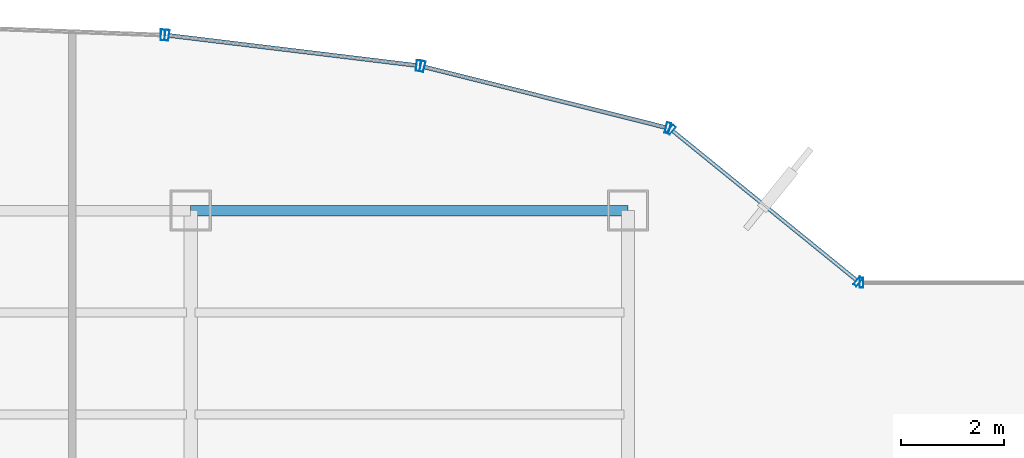
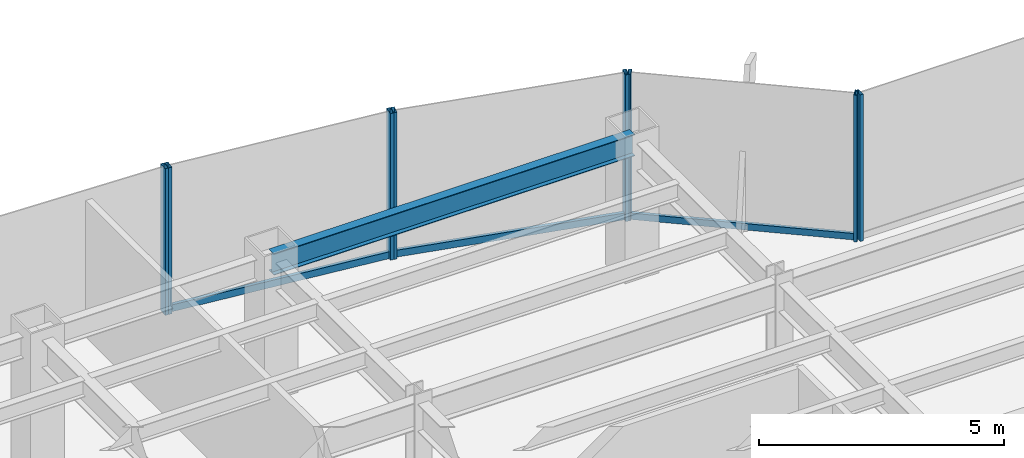
# One storey, part 18 of 26: 11 members, 1 beam, 5 elements without a shape of their own.
"""IFC4 building model written with IfcOpenShell, lengths in metres."""

from ifc_helpers import new_model, si_unit, derived_unit, direction, frame, origin, origin_2d, place, context, subcontext, project, spatial, hollow_rectangle, i_section, extrude, source, transform, mapped, material, material_profile, profile_set, type_object, element, aggregate, save


model = new_model("IFC4")

# Units and contexts
model_context = context("Model", 3, precision=1e-05, world=origin(), true_north=direction((0.0, 1.0)))
body_context = subcontext(model_context, "Body", "Model", "MODEL_VIEW")
ifc_project = project(units=[si_unit("LENGTHUNIT", "METRE"), si_unit("AREAUNIT", "SQUARE_METRE"), si_unit("VOLUMEUNIT", "CUBIC_METRE"), si_unit("PLANEANGLEUNIT", "RADIAN"), si_unit("MASSUNIT", "GRAM", prefix="KILO"), derived_unit("THERMALTRANSMITTANCEUNIT", [(si_unit("POWERUNIT", "WATT"), 1), (si_unit("LENGTHUNIT", "METRE"), -2), (si_unit("THERMODYNAMICTEMPERATUREUNIT", "KELVIN"), -1)])], contexts=[model_context])

# Site, building, storey
site_placement = place(None, origin())
site = spatial("IfcSite", under=ifc_project, at=site_placement, CompositionType="ELEMENT")
building_placement = place(site_placement, origin())
building = spatial("IfcBuilding", under=site, at=building_placement, Name="Skarnbrae Concourse Arena and Tower", CompositionType="ELEMENT")
storey_placement = place(building_placement, frame((0.0, 0.0, 110.550048828125)))
storey = spatial("IfcBuildingStorey", under=building, at=storey_placement, Name="L27", CompositionType="ELEMENT", Elevation=110.550048828125)

# Beam
ifc_material_1 = material(Name="Steel CSA G40.21 350W", Category="steel")
ifc_material_profile_1 = material_profile(ifc_material_1, i_section(OverallWidth=0.208984375, OverallDepth=0.532958984375, WebThickness=0.01025390625, FlangeThickness=0.015625, at=origin_2d()), Name="W530X92")
ifc_profile_set_1 = profile_set([ifc_material_profile_1], Name="Steel CSA G40.21 350W")
beam_type = type_object("IfcBeamType", Name="BM-SPAN-W530X92", PredefinedType="SPANDREL", material=ifc_profile_set_1)
shared_shape_1 = source(origin(), body_context, "Body", "SweptSolid", [
    extrude(i_section(OverallWidth=0.208984375, OverallDepth=0.532958984375, WebThickness=0.01025390625, FlangeThickness=0.015625, at=origin_2d()), origin(), (0.0, 0.0, 1.0), 8.5),
])
beam_placement = place(storey_placement, frame((33.5, 40.39990234375, 3.133544921875), z_axis=(1.0, 0.0, 0.0), x_axis=(0.0, 1.0, 0.0)))
element("IfcBeam", 1, at=beam_placement, inside=storey, type_object=beam_type, Name="L27 Perimeter spandrel Y40.4-4", PredefinedType="SPANDREL", context=body_context, shape_type="MappedRepresentation", body=[
    mapped(shared_shape_1, transform((0.0, 0.0, 0.0))),
])

# Curtain wall, members
ifc_material_2 = material(Name="Bronze anodised aluminium 6063-T6", Category="aluminium")
curtain_wall_type_1 = type_object("IfcCurtainWallType", Name="CW-SYS-03-PORTAL", PredefinedType="USERDEFINED", material=ifc_material_2)
curtain_wall_1_placement = place(storey_placement, origin())
curtain_wall_1 = element("IfcCurtainWall", 2, at=curtain_wall_1_placement, inside=storey, type_object=curtain_wall_type_1, Name="L27 Unitised curtain wall CW-L27-E09", ObjectType="UNITISED CURTAIN WALL", PredefinedType="USERDEFINED")
ifc_material_profile_2 = material_profile(ifc_material_2, hollow_rectangle(XDim=0.080078125, YDim=0.2099609375, WallThickness=0.00439453125, at=origin_2d()), Name="ALU-MULL-80X210")
ifc_profile_set_2 = profile_set([ifc_material_profile_2], Name="Bronze anodised aluminium 6063-T6")
member_type_1 = type_object("IfcMemberType", Name="CWM-CW-03", PredefinedType="MULLION", material=ifc_profile_set_2)
shared_shape_2 = source(origin(), body_context, "Body", "SweptSolid", [
    extrude(hollow_rectangle(XDim=0.080078125, YDim=0.2099609375, WallThickness=0.00439453125, at=origin_2d()), origin(), (0.0, 0.0, 1.0), 3.64990234375),
])
member_1_placement = place(storey_placement, frame((42.772216796875, 42.005615234375, 0.0), z_axis=(0.0, 0.0, 1.0), x_axis=(-0.969903046166, 0.243491439351, 0.0)))
member_1 = element("IfcMember", 3, at=member_1_placement, type_object=member_type_1, Name="CW-L27-E09 Mullion 1", PredefinedType="MULLION", context=body_context, shape_type="MappedRepresentation", body=[
    mapped(shared_shape_2, transform((0.0, 0.0, 0.0))),
])
member_2_placement = place(storey_placement, frame((38.0029296875, 43.203125, 0.0), z_axis=(0.0, 0.0, 1.0), x_axis=(-0.969903046166, 0.243491439351, 0.0)))
member_2 = element("IfcMember", 4, at=member_2_placement, type_object=member_type_1, Name="CW-L27-E09 Mullion 2", PredefinedType="MULLION", context=body_context, shape_type="MappedRepresentation", body=[
    mapped(shared_shape_2, transform((0.0, 0.0, 0.0))),
])

curtain_wall_2_placement = place(storey_placement, origin())
curtain_wall_2 = element("IfcCurtainWall", 5, at=curtain_wall_2_placement, inside=storey, type_object=curtain_wall_type_1, Name="L27 Unitised curtain wall CW-L27-E10", ObjectType="UNITISED CURTAIN WALL", PredefinedType="USERDEFINED")
member_3_placement = place(storey_placement, frame((37.924560546875, 43.217529296875, 0.0), z_axis=(0.0, 0.0, 1.0), x_axis=(-0.992749371969, 0.120202680731, 0.0)))
member_3 = element("IfcMember", 6, at=member_3_placement, type_object=member_type_1, Name="CW-L27-E10 Mullion 1", PredefinedType="MULLION", context=body_context, shape_type="MappedRepresentation", body=[
    mapped(shared_shape_2, transform((0.0, 0.0, 0.0))),
])
member_4_placement = place(storey_placement, frame((33.03857421875, 43.80908203125, 0.0), z_axis=(0.0, 0.0, 1.0), x_axis=(-0.992749371969, 0.120202680731, 0.0)))
member_4 = element("IfcMember", 7, at=member_4_placement, type_object=member_type_1, Name="CW-L27-E10 Mullion 2", PredefinedType="MULLION", context=body_context, shape_type="MappedRepresentation", body=[
    mapped(shared_shape_2, transform((0.0, 0.0, 0.0))),
])

# Curtain wall, member
curtain_wall_3_placement = place(storey_placement, origin())
curtain_wall_3 = element("IfcCurtainWall", 8, at=curtain_wall_3_placement, inside=storey, type_object=curtain_wall_type_1, Name="L27 Unitised curtain wall CW-L27-E11", ObjectType="UNITISED CURTAIN WALL", PredefinedType="USERDEFINED")
member_5_placement = place(storey_placement, frame((32.958984375, 43.8154296875, 0.0), z_axis=(0.0, 0.0, 1.0), x_axis=(-0.999308486252, 0.037182647889, 0.0)))
member_5 = element("IfcMember", 9, at=member_5_placement, type_object=member_type_1, Name="CW-L27-E11 Mullion 1", PredefinedType="MULLION", context=body_context, shape_type="MappedRepresentation", body=[
    mapped(shared_shape_2, transform((0.0, 0.0, 0.0))),
])
aggregate(curtain_wall_3, [member_5])

curtain_wall_type_2 = type_object("IfcCurtainWallType", Name="CW-SYS-04-MIDZONE", PredefinedType="USERDEFINED", material=ifc_material_2)
curtain_wall_4_placement = place(storey_placement, origin())
curtain_wall_4 = element("IfcCurtainWall", 10, at=curtain_wall_4_placement, inside=storey, type_object=curtain_wall_type_2, Name="L27 Unitised curtain wall CW-L27-E08", ObjectType="UNITISED CURTAIN WALL", PredefinedType="USERDEFINED")
ifc_material_profile_3 = material_profile(ifc_material_2, hollow_rectangle(XDim=0.074951171875, YDim=0.159912109375, WallThickness=0.00439453125, at=origin_2d()), Name="ALU-TRAN-75X160")
ifc_profile_set_3 = profile_set([ifc_material_profile_3], Name="Bronze anodised aluminium 6063-T6")
member_type_2 = type_object("IfcMemberType", Name="CWT-CW-04", PredefinedType="USERDEFINED", material=ifc_profile_set_3)
shared_shape_3 = source(origin(), body_context, "Body", "SweptSolid", [
    extrude(hollow_rectangle(XDim=0.074951171875, YDim=0.159912109375, WallThickness=0.00439453125, at=origin_2d()), origin(), (0.0, 0.0, 1.0), 4.602294921875),
])
member_6_placement = place(storey_placement, frame((46.44189453125, 39.04736328125, 0.079833984375), z_axis=(-0.776251906445, 0.630422856297, 0.0), x_axis=(-0.630422856297, -0.776251906445, 0.0)))
member_6 = element("IfcMember", 11, at=member_6_placement, type_object=member_type_2, Name="CW-L27-E08 Transom 1", ObjectType="TRANSOM", PredefinedType="USERDEFINED", context=body_context, shape_type="MappedRepresentation", body=[
    mapped(shared_shape_3, transform((0.0, 0.0, 0.0))),
])

curtain_wall_5_placement = place(storey_placement, origin())
curtain_wall_5 = element("IfcCurtainWall", 12, at=curtain_wall_5_placement, inside=storey, type_object=curtain_wall_type_2, Name="L27 Unitised curtain wall CW-L27-E07", ObjectType="UNITISED CURTAIN WALL", PredefinedType="USERDEFINED")
ifc_material_profile_4 = material_profile(ifc_material_2, hollow_rectangle(XDim=0.074951171875, YDim=0.195068359375, WallThickness=0.00439453125, at=origin_2d()), Name="ALU-MULL-75X195")
ifc_profile_set_4 = profile_set([ifc_material_profile_4], Name="Bronze anodised aluminium 6063-T6")
member_type_3 = type_object("IfcMemberType", Name="CWM-CW-04", PredefinedType="MULLION", material=ifc_profile_set_4)
shared_shape_4 = source(origin(), body_context, "Body", "SweptSolid", [
    extrude(hollow_rectangle(XDim=0.074951171875, YDim=0.195068359375, WallThickness=0.00439453125, at=origin_2d()), origin(), (0.0, 0.0, 1.0), 3.64990234375),
])
member_7_placement = place(storey_placement, frame((46.53759765625, 39.0, 0.0), z_axis=(0.0, 0.0, 1.0), x_axis=(-1.0, 0.0, 0.0)))
member_7 = element("IfcMember", 13, at=member_7_placement, type_object=member_type_3, Name="CW-L27-E07 Mullion 2", PredefinedType="MULLION", context=body_context, shape_type="MappedRepresentation", body=[
    mapped(shared_shape_4, transform((0.0, 0.0, 0.0))),
])
aggregate(curtain_wall_5, [member_7])

# Member
member_8_placement = place(storey_placement, frame((46.470947265625, 39.023681640625, 0.0), z_axis=(0.0, 0.0, 1.0), x_axis=(-0.776241200471, 0.630436038542, 0.0)))
member_8 = element("IfcMember", 14, at=member_8_placement, type_object=member_type_3, Name="CW-L27-E08 Mullion 1", PredefinedType="MULLION", context=body_context, shape_type="MappedRepresentation", body=[
    mapped(shared_shape_4, transform((0.0, 0.0, 0.0))),
])

member_9_placement = place(storey_placement, frame((42.840087890625, 41.972412109375, 0.0), z_axis=(0.0, 0.0, 1.0), x_axis=(-0.776241200471, 0.630436038542, 0.0)))
member_9 = element("IfcMember", 15, at=member_9_placement, type_object=member_type_3, Name="CW-L27-E08 Mullion 2", PredefinedType="MULLION", context=body_context, shape_type="MappedRepresentation", body=[
    mapped(shared_shape_4, transform((0.0, 0.0, 0.0))),
])

aggregate(curtain_wall_4, [member_8, member_9, member_6])

ifc_material_profile_5 = material_profile(ifc_material_2, hollow_rectangle(XDim=0.080078125, YDim=0.169921875, WallThickness=0.00439453125, at=origin_2d()), Name="ALU-TRAN-80X170")
ifc_profile_set_5 = profile_set([ifc_material_profile_5], Name="Bronze anodised aluminium 6063-T6")
member_type_4 = type_object("IfcMemberType", Name="CWT-CW-03", PredefinedType="USERDEFINED", material=ifc_profile_set_5)
shared_shape_5 = source(origin(), body_context, "Body", "SweptSolid", [
    extrude(hollow_rectangle(XDim=0.080078125, YDim=0.169921875, WallThickness=0.00439453125, at=origin_2d()), origin(), (0.0, 0.0, 1.0), 4.837158203125),
])
member_10_placement = place(storey_placement, frame((42.7333984375, 42.015380859375, 0.0849609375), z_axis=(-0.969895583622, 0.243521163084, 0.0), x_axis=(-0.243521163084, -0.969895583622, 0.0)))
member_10 = element("IfcMember", 16, at=member_10_placement, type_object=member_type_4, Name="CW-L27-E09 Transom 1", ObjectType="TRANSOM", PredefinedType="USERDEFINED", context=body_context, shape_type="MappedRepresentation", body=[
    mapped(shared_shape_5, transform((0.0, 0.0, 0.0))),
])

aggregate(curtain_wall_1, [member_1, member_2, member_10])

shared_shape_6 = source(origin(), body_context, "Body", "SweptSolid", [
    extrude(hollow_rectangle(XDim=0.080078125, YDim=0.169921875, WallThickness=0.00439453125, at=origin_2d()), origin(), (0.0, 0.0, 1.0), 4.841552734375),
])
member_11_placement = place(storey_placement, frame((37.884765625, 43.222412109375, 0.0849609375), z_axis=(-0.992747648444, 0.120216914405, 0.0), x_axis=(-0.120216914405, -0.992747648444, 0.0)))
member_11 = element("IfcMember", 17, at=member_11_placement, type_object=member_type_4, Name="CW-L27-E10 Transom 1", ObjectType="TRANSOM", PredefinedType="USERDEFINED", context=body_context, shape_type="MappedRepresentation", body=[
    mapped(shared_shape_6, transform((0.0, 0.0, 0.0))),
])

aggregate(curtain_wall_2, [member_3, member_4, member_11])

save(model, "model.ifc")
